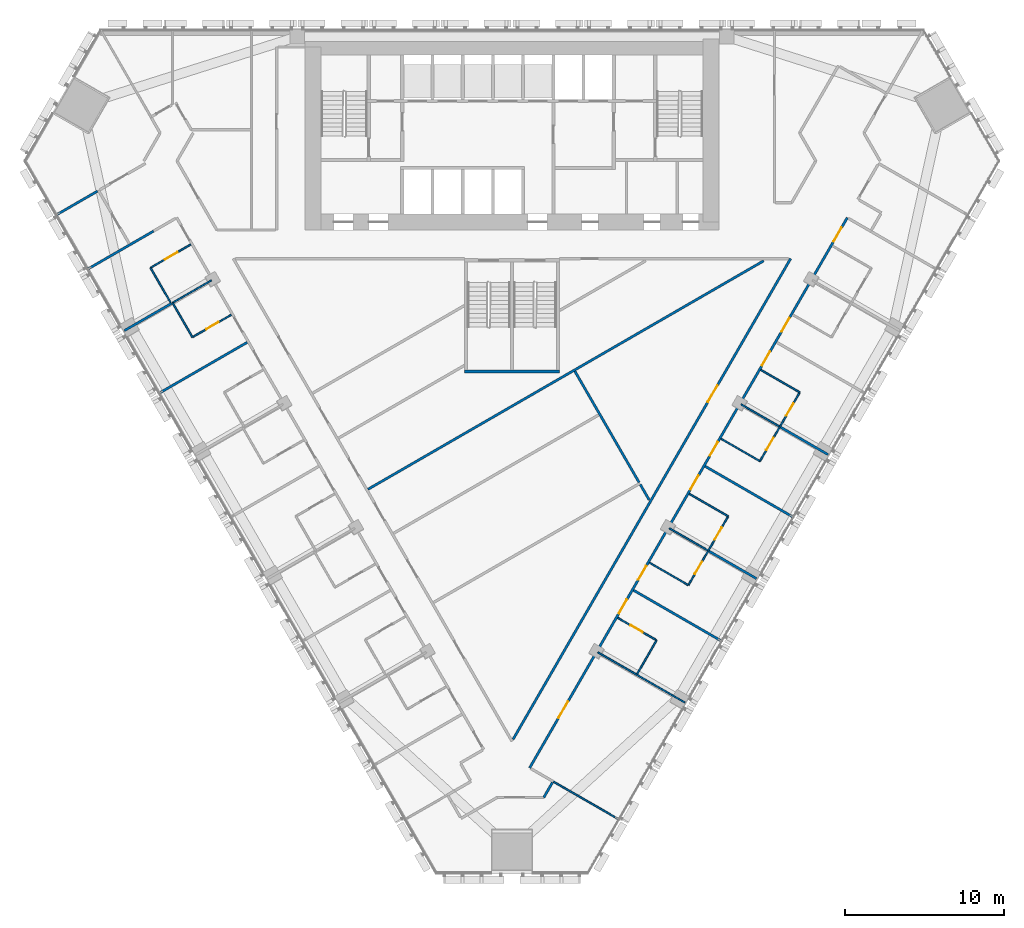
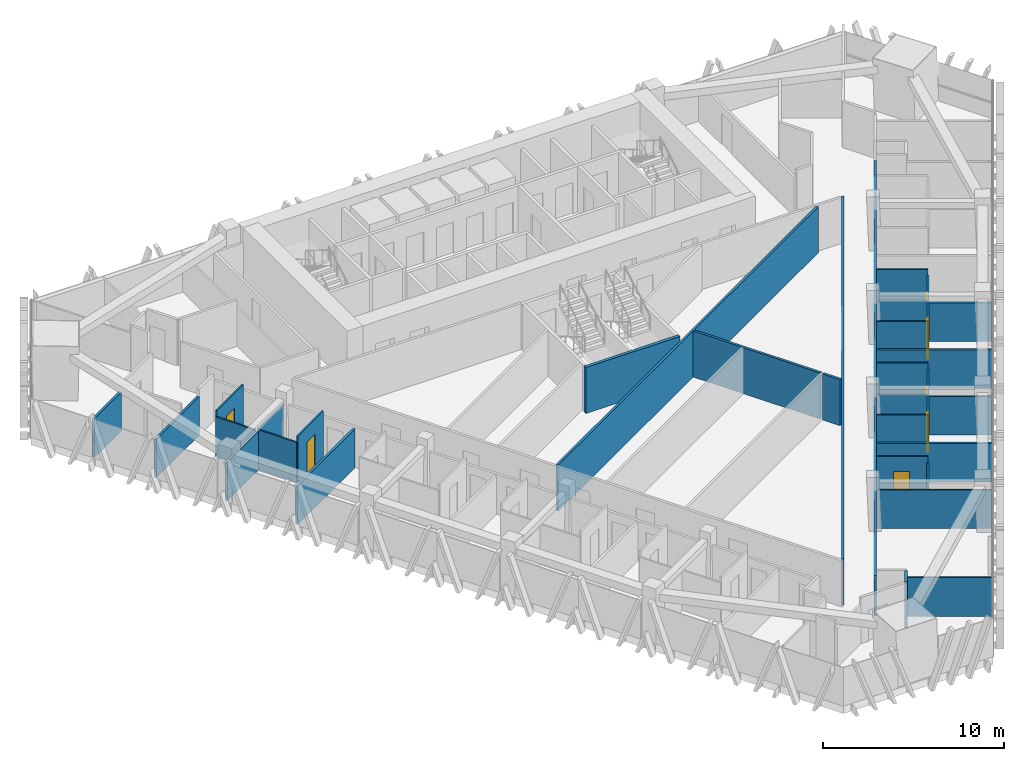
# One storey, part 11 of 18: 32 walls, 16 doors, 16 openings.
"""IFC4 building model written with IfcOpenShell, lengths in metres."""

from ifc_helpers import new_model, si_unit, direction, frame, frame_2d, origin, place, context, subcontext, project, spatial, rectangle, extrude, material, layer, layer_set, type_object, element, fill, save


model = new_model("IFC4")

# Units and contexts
model_context = context("Model", 3, precision=1e-05, world=origin(), true_north=direction((0.0, 1.0)))
body_context = subcontext(model_context, "Body", "Model", "MODEL_VIEW")
ifc_project = project(units=[si_unit("LENGTHUNIT", "METRE"), si_unit("AREAUNIT", "SQUARE_METRE"), si_unit("VOLUMEUNIT", "CUBIC_METRE"), si_unit("PLANEANGLEUNIT", "RADIAN"), si_unit("MASSUNIT", "GRAM", prefix="KILO")], contexts=[model_context])

# Site, building, storey
site_placement = place(None, origin())
site = spatial("IfcSite", under=ifc_project, at=site_placement, CompositionType="ELEMENT")
building_placement = place(site_placement, origin())
building = spatial("IfcBuilding", under=site, at=building_placement, Name="Altiplano Prism Tower", CompositionType="ELEMENT")
storey_placement = place(building_placement, frame((0.0, 0.0, 48.60009765625)))
storey = spatial("IfcBuildingStorey", under=building, at=storey_placement, Name="L11", CompositionType="ELEMENT", Elevation=48.60009765625)

# Wall
ifc_material_1 = material(Name="Plasterboard on steel stud", Category="steel")
ifc_layer_1 = layer(ifc_material_1, 0.10009765625)
ifc_layer_set_1 = layer_set([ifc_layer_1], Name="Plasterboard on steel stud")
wall_type_1 = type_object("IfcWallType", Name="Partition 100 unit", PredefinedType="PARTITIONING", material=ifc_layer_set_1)
wall_1_placement = place(storey_placement, frame((63.537109375, 87.837646484375, 0.0), z_axis=(0.0, 0.0, 1.0), x_axis=(-0.500090717682, 0.865973021571, 0.0)))
element("IfcWall", 1, at=wall_1_placement, inside=storey, type_object=wall_type_1, Name="Partition P02 L11 050", PredefinedType="PARTITIONING", context=body_context, shape_type="SweptSolid", body=[
    extrude(rectangle(XDim=2.52490234375, YDim=0.10009765625, at=frame_2d((1.262451171875, 0.0))), origin(), (0.0, 0.0, 1.0), 2.699951171875),
])

# Wall, opening, door
wall_2_placement = place(storey_placement, frame((62.2744140625, 90.024169921875, 0.0), z_axis=(0.0, 0.0, 1.0), x_axis=(0.86601045545, 0.500025890382, 0.0)))
wall_2 = element("IfcWall", 2, at=wall_2_placement, inside=storey, type_object=wall_type_1, Name="Partition P02 L11 051", PredefinedType="PARTITIONING", context=body_context, shape_type="SweptSolid", body=[
    extrude(rectangle(XDim=2.925048828125, YDim=0.10009765625, at=frame_2d((1.46240234375, 0.0))), origin(), (0.0, 0.0, 1.0), 3.099853515625),
])
opening_1_placement = place(wall_2_placement, frame((1.050048828125, 0.0, 0.0)))
opening_1 = element("IfcOpeningElement", 3, at=opening_1_placement, cuts=wall_2, Name="Opening D0429", PredefinedType="OPENING", context=body_context, shape_type="SweptSolid", body=[
    extrude(rectangle(XDim=0.89990234375, YDim=2.10009765625, at=frame_2d((0.449951171875, 1.050048828125))), frame((0.0, 0.060546875, 0.0), z_axis=(0.0, -1.0, 0.0), x_axis=(1.0, 0.0, 0.0)), (0.0, 0.0, 1.0), 0.12109375),
])
ifc_material_2 = material(Name="Timber", Category="wood")
door_type_1 = type_object("IfcDoorType", Name="Ensuite door 900 x 2100", OperationType="NOTDEFINED", PredefinedType="NOTDEFINED", material=ifc_material_2)
door_1_placement = place(opening_1_placement, origin())
door_1 = element("IfcDoor", 4, at=door_1_placement, inside=storey, type_object=door_type_1, Name="Door D0429", OperationType="SINGLE_SWING_LEFT", OverallHeight=2.10009765625, OverallWidth=0.89990234375, PredefinedType="NOTDEFINED", context=body_context, shape_type="SweptSolid", body=[
    extrude(rectangle(XDim=0.89990234375, YDim=2.10009765625, at=frame_2d((0.449951171875, 1.050048828125))), frame((0.0, 0.02490234375, 0.0), z_axis=(0.0, -1.0, 0.0), x_axis=(1.0, 0.0, 0.0)), (0.0, 0.0, 1.0), 0.050048828125),
])
fill(opening_1, door_1)

wall_3_placement = place(storey_placement, frame((67.357666015625, 87.070068359375, 0.0), z_axis=(0.0, 0.0, 1.0), x_axis=(-0.866011447264, -0.500024172624, 0.0)))
wall_3 = element("IfcWall", 5, at=wall_3_placement, inside=storey, type_object=wall_type_1, Name="Partition P02 L11 054", PredefinedType="PARTITIONING", context=body_context, shape_type="SweptSolid", body=[
    extrude(rectangle(XDim=2.824951171875, YDim=0.10009765625, at=frame_2d((1.41259765625, 0.0))), origin(), (0.0, 0.0, 1.0), 3.099853515625),
])
opening_2_placement = place(wall_3_placement, frame((0.925048828125, 0.0, 0.0)))
opening_2 = element("IfcOpeningElement", 6, at=opening_2_placement, cuts=wall_3, Name="Opening D0431", PredefinedType="OPENING", context=body_context, shape_type="SweptSolid", body=[
    extrude(rectangle(XDim=0.89990234375, YDim=2.10009765625, at=frame_2d((0.449951171875, 1.050048828125))), frame((0.0, 0.060546875, 0.0), z_axis=(0.0, -1.0, 0.0), x_axis=(1.0, 0.0, 0.0)), (0.0, 0.0, 1.0), 0.12109375),
])
door_2_placement = place(opening_2_placement, origin())
door_2 = element("IfcDoor", 7, at=door_2_placement, inside=storey, type_object=door_type_1, Name="Door D0431", OperationType="SINGLE_SWING_LEFT", OverallHeight=2.10009765625, OverallWidth=0.89990234375, PredefinedType="NOTDEFINED", context=body_context, shape_type="SweptSolid", body=[
    extrude(rectangle(XDim=0.89990234375, YDim=2.10009765625, at=frame_2d((0.449951171875, 1.050048828125))), frame((0.0, 0.02490234375, 0.0), z_axis=(0.0, -1.0, 0.0), x_axis=(1.0, 0.0, 0.0)), (0.0, 0.0, 1.0), 0.050048828125),
])
fill(opening_2, door_2)

# Wall
wall_4_placement = place(storey_placement, frame((64.9111328125, 85.657470703125, 0.0), z_axis=(0.0, 0.0, 1.0), x_axis=(-0.500004234368, 0.866022959057, 0.0)))
element("IfcWall", 8, at=wall_4_placement, inside=storey, type_object=wall_type_1, Name="Partition P02 L11 055", PredefinedType="PARTITIONING", context=body_context, shape_type="SweptSolid", body=[
    extrude(rectangle(XDim=2.5, YDim=0.10009765625, at=frame_2d((1.25, 0.0))), origin(), (0.0, 0.0, 1.0), 2.699951171875),
])

# Wall, opening, door
wall_5_placement = place(storey_placement, frame((91.642333984375, 68.017578125, 0.0), z_axis=(0.0, 0.0, 1.0), x_axis=(0.866011447264, -0.500024172624, 0.0)))
wall_5 = element("IfcWall", 9, at=wall_5_placement, inside=storey, type_object=wall_type_1, Name="Partition P02 L11 082", PredefinedType="PARTITIONING", context=body_context, shape_type="SweptSolid", body=[
    extrude(rectangle(XDim=2.824951171875, YDim=0.10009765625, at=frame_2d((1.41259765625, 0.0))), origin(), (0.0, 0.0, 1.0), 3.099853515625),
])
opening_3_placement = place(wall_5_placement, frame((0.925048828125, 0.0, 0.0)))
opening_3 = element("IfcOpeningElement", 10, at=opening_3_placement, cuts=wall_5, Name="Opening D0448", PredefinedType="OPENING", context=body_context, shape_type="SweptSolid", body=[
    extrude(rectangle(XDim=0.89990234375, YDim=2.10009765625, at=frame_2d((0.449951171875, 1.050048828125))), frame((0.0, 0.060546875, 0.0), z_axis=(0.0, -1.0, 0.0), x_axis=(1.0, 0.0, 0.0)), (0.0, 0.0, 1.0), 0.12109375),
])
door_3_placement = place(opening_3_placement, origin())
door_3 = element("IfcDoor", 11, at=door_3_placement, inside=storey, type_object=door_type_1, Name="Door D0448", OperationType="SINGLE_SWING_LEFT", OverallHeight=2.10009765625, OverallWidth=0.89990234375, PredefinedType="NOTDEFINED", context=body_context, shape_type="SweptSolid", body=[
    extrude(rectangle(XDim=0.89990234375, YDim=2.10009765625, at=frame_2d((0.449951171875, 1.050048828125))), frame((0.0, 0.02490234375, 0.0), z_axis=(0.0, -1.0, 0.0), x_axis=(1.0, 0.0, 0.0)), (0.0, 0.0, 1.0), 0.050048828125),
])
fill(opening_3, door_3)

# Walls
wall_6_placement = place(storey_placement, frame((94.0888671875, 66.60498046875, 0.0), z_axis=(0.0, 0.0, 1.0), x_axis=(-0.499943856944, -0.866057815567, 0.0)))
element("IfcWall", 12, at=wall_6_placement, inside=storey, type_object=wall_type_1, Name="Partition P02 L11 083", PredefinedType="PARTITIONING", context=body_context, shape_type="SweptSolid", body=[
    extrude(rectangle(XDim=2.449951171875, YDim=0.10009765625, at=frame_2d((1.22509765625, 0.0))), origin(), (0.0, 0.0, 1.0), 2.699951171875),
])
for number, where, z_axis, x_axis, name in (
    (13, (96.0888671875, 70.069091796875, 0.0), (0.0, 0.0, 1.0), (-0.866011447264, 0.500024172624, 0.0), "Partition P02 L11 085"),
    (14, (96.142333984375, 75.811767578125, 0.0), (0.0, 0.0, 1.0), (0.866011447264, -0.500024172624, 0.0), "Partition P02 L11 088"),
):
    element("IfcWall", number, at=place(storey_placement, frame(where, z_axis=z_axis, x_axis=x_axis)), inside=storey, type_object=wall_type_1, Name=name, PredefinedType="PARTITIONING", context=body_context, shape_type="SweptSolid", body=[
        extrude(rectangle(XDim=2.824951171875, YDim=0.10009765625, at=frame_2d((1.41259765625, 0.0))), origin(), (0.0, 0.0, 1.0), 3.099853515625),
    ])

# Wall, openings, doors
wall_7_placement = place(storey_placement, frame((98.5888671875, 74.399169921875, 0.0), z_axis=(0.0, 0.0, 1.0), x_axis=(-0.500004234368, -0.866022959057, 0.0)))
wall_7 = element("IfcWall", 15, at=wall_7_placement, inside=storey, type_object=wall_type_1, Name="Partition P02 L11 089", PredefinedType="PARTITIONING", context=body_context, shape_type="SweptSolid", body=[
    extrude(rectangle(XDim=5.0, YDim=0.10009765625, at=frame_2d((2.5, 0.0))), origin(), (0.0, 0.0, 1.0), 2.699951171875),
])
opening_4_placement = place(wall_7_placement, frame((3.300048828125, 0.0, 0.0)))
opening_4 = element("IfcOpeningElement", 16, at=opening_4_placement, cuts=wall_7, Name="Opening D0450", PredefinedType="OPENING", context=body_context, shape_type="SweptSolid", body=[
    extrude(rectangle(XDim=0.89990234375, YDim=2.10009765625, at=frame_2d((0.449951171875, 1.050048828125))), frame((0.0, 0.060546875, 0.0), z_axis=(0.0, -1.0, 0.0), x_axis=(1.0, 0.0, 0.0)), (0.0, 0.0, 1.0), 0.12109375),
])
opening_5_placement = place(wall_7_placement, frame((0.800048828125, 0.0, 0.0)))
opening_5 = element("IfcOpeningElement", 17, at=opening_5_placement, cuts=wall_7, Name="Opening D0452", PredefinedType="OPENING", context=body_context, shape_type="SweptSolid", body=[
    extrude(rectangle(XDim=0.89990234375, YDim=2.10009765625, at=frame_2d((0.449951171875, 1.050048828125))), frame((0.0, 0.060546875, 0.0), z_axis=(0.0, -1.0, 0.0), x_axis=(1.0, 0.0, 0.0)), (0.0, 0.0, 1.0), 0.12109375),
])
door_4_placement = place(opening_4_placement, origin())
door_4 = element("IfcDoor", 18, at=door_4_placement, inside=storey, type_object=door_type_1, Name="Door D0450", OperationType="SINGLE_SWING_RIGHT", OverallHeight=2.10009765625, OverallWidth=0.89990234375, PredefinedType="NOTDEFINED", context=body_context, shape_type="SweptSolid", body=[
    extrude(rectangle(XDim=0.89990234375, YDim=2.10009765625, at=frame_2d((0.449951171875, 1.050048828125))), frame((0.0, 0.02490234375, 0.0), z_axis=(0.0, -1.0, 0.0), x_axis=(1.0, 0.0, 0.0)), (0.0, 0.0, 1.0), 0.050048828125),
])
fill(opening_4, door_4)
door_5_placement = place(opening_5_placement, origin())
door_5 = element("IfcDoor", 19, at=door_5_placement, inside=storey, type_object=door_type_1, Name="Door D0452", OperationType="SINGLE_SWING_LEFT", OverallHeight=2.10009765625, OverallWidth=0.89990234375, PredefinedType="NOTDEFINED", context=body_context, shape_type="SweptSolid", body=[
    extrude(rectangle(XDim=0.89990234375, YDim=2.10009765625, at=frame_2d((0.449951171875, 1.050048828125))), frame((0.0, 0.02490234375, 0.0), z_axis=(0.0, -1.0, 0.0), x_axis=(1.0, 0.0, 0.0)), (0.0, 0.0, 1.0), 0.050048828125),
])
fill(opening_5, door_5)

# Walls
for number, where, z_axis, x_axis, name in (
    (20, (100.5888671875, 77.86328125, 0.0), (0.0, 0.0, 1.0), (-0.866011447264, 0.500024172624, 0.0), "Partition P02 L11 091"),
    (21, (100.642333984375, 83.60595703125, 0.0), (0.0, 0.0, 1.0), (0.866011447264, -0.500024172624, 0.0), "Partition P02 L11 094"),
):
    element("IfcWall", number, at=place(storey_placement, frame(where, z_axis=z_axis, x_axis=x_axis)), inside=storey, type_object=wall_type_1, Name=name, PredefinedType="PARTITIONING", context=body_context, shape_type="SweptSolid", body=[
        extrude(rectangle(XDim=2.824951171875, YDim=0.10009765625, at=frame_2d((1.41259765625, 0.0))), origin(), (0.0, 0.0, 1.0), 3.099853515625),
    ])

# Wall, openings, doors
wall_8_placement = place(storey_placement, frame((103.0888671875, 82.193359375, 0.0), z_axis=(0.0, 0.0, 1.0), x_axis=(-0.500004234368, -0.866022959057, 0.0)))
wall_8 = element("IfcWall", 22, at=wall_8_placement, inside=storey, type_object=wall_type_1, Name="Partition P02 L11 095", PredefinedType="PARTITIONING", context=body_context, shape_type="SweptSolid", body=[
    extrude(rectangle(XDim=5.0, YDim=0.10009765625, at=frame_2d((2.5, 0.0))), origin(), (0.0, 0.0, 1.0), 2.699951171875),
])
opening_6_placement = place(wall_8_placement, frame((3.300048828125, 0.0, 0.0)))
opening_6 = element("IfcOpeningElement", 23, at=opening_6_placement, cuts=wall_8, Name="Opening D0454", PredefinedType="OPENING", context=body_context, shape_type="SweptSolid", body=[
    extrude(rectangle(XDim=0.89990234375, YDim=2.10009765625, at=frame_2d((0.449951171875, 1.050048828125))), frame((0.0, 0.060546875, 0.0), z_axis=(0.0, -1.0, 0.0), x_axis=(1.0, 0.0, 0.0)), (0.0, 0.0, 1.0), 0.12109375),
])
opening_7_placement = place(wall_8_placement, frame((0.800048828125, 0.0, 0.0)))
opening_7 = element("IfcOpeningElement", 24, at=opening_7_placement, cuts=wall_8, Name="Opening D0456", PredefinedType="OPENING", context=body_context, shape_type="SweptSolid", body=[
    extrude(rectangle(XDim=0.89990234375, YDim=2.10009765625, at=frame_2d((0.449951171875, 1.050048828125))), frame((0.0, 0.060546875, 0.0), z_axis=(0.0, -1.0, 0.0), x_axis=(1.0, 0.0, 0.0)), (0.0, 0.0, 1.0), 0.12109375),
])
door_6_placement = place(opening_6_placement, origin())
door_6 = element("IfcDoor", 25, at=door_6_placement, inside=storey, type_object=door_type_1, Name="Door D0454", OperationType="SINGLE_SWING_RIGHT", OverallHeight=2.10009765625, OverallWidth=0.89990234375, PredefinedType="NOTDEFINED", context=body_context, shape_type="SweptSolid", body=[
    extrude(rectangle(XDim=0.89990234375, YDim=2.10009765625, at=frame_2d((0.449951171875, 1.050048828125))), frame((0.0, 0.02490234375, 0.0), z_axis=(0.0, -1.0, 0.0), x_axis=(1.0, 0.0, 0.0)), (0.0, 0.0, 1.0), 0.050048828125),
])
fill(opening_6, door_6)
door_7_placement = place(opening_7_placement, origin())
door_7 = element("IfcDoor", 26, at=door_7_placement, inside=storey, type_object=door_type_1, Name="Door D0456", OperationType="SINGLE_SWING_LEFT", OverallHeight=2.10009765625, OverallWidth=0.89990234375, PredefinedType="NOTDEFINED", context=body_context, shape_type="SweptSolid", body=[
    extrude(rectangle(XDim=0.89990234375, YDim=2.10009765625, at=frame_2d((0.449951171875, 1.050048828125))), frame((0.0, 0.02490234375, 0.0), z_axis=(0.0, -1.0, 0.0), x_axis=(1.0, 0.0, 0.0)), (0.0, 0.0, 1.0), 0.050048828125),
])
fill(opening_7, door_7)

# Walls
ifc_layer_2 = layer(ifc_material_1, 0.10009765625)
ifc_layer_set_2 = layer_set([ifc_layer_2], Name="Plasterboard on steel stud")
wall_type_2 = type_object("IfcWallType", Name="Partition 100 wet", PredefinedType="PARTITIONING", material=ifc_layer_set_2)
wall_9_placement = place(storey_placement, frame((63.6611328125, 87.822509765625, 0.0), z_axis=(0.0, 0.0, 1.0), x_axis=(0.866011447264, 0.500024172624, 0.0)))
element("IfcWall", 27, at=wall_9_placement, inside=storey, type_object=wall_type_2, Name="Partition P03 L11 053", PredefinedType="PARTITIONING", context=body_context, shape_type="SweptSolid", body=[
    extrude(rectangle(XDim=2.824951171875, YDim=0.10009765625, at=frame_2d((1.41259765625, 0.0))), origin(), (0.0, 0.0, 1.0), 2.699951171875),
])
wall_10_placement = place(storey_placement, frame((91.668701171875, 55.372802734375, 0.0), z_axis=(0.0, 0.0, 1.0), x_axis=(-0.866015756104, 0.5000167099, 0.0)))
element("IfcWall", 28, at=wall_10_placement, inside=storey, type_object=wall_type_2, Name="Partition P03 L11 080", PredefinedType="PARTITIONING", context=body_context, shape_type="SweptSolid", body=[
    extrude(rectangle(XDim=4.739990234375, YDim=0.10009765625, at=frame_2d((2.3701171875, 0.0))), origin(), (0.0, 0.0, 1.0), 2.599853515625),
])
wall_11_placement = place(storey_placement, frame((95.869873046875, 62.68994140625, 0.0), z_axis=(0.0, 0.0, 1.0), x_axis=(-0.866032601554, 0.49998753289, 0.0)))
element("IfcWall", 29, at=wall_11_placement, inside=storey, type_object=wall_type_2, Name="Partition P03 L11 081", PredefinedType="PARTITIONING", context=body_context, shape_type="SweptSolid", body=[
    extrude(rectangle(XDim=6.324951171875, YDim=0.10009765625, at=frame_2d((3.16259765625, 0.0))), origin(), (0.0, 0.0, 1.0), 2.599853515625),
])
for number, where, z_axis, x_axis, name in (
    (30, (97.295654296875, 72.25927734375, 0.0), (0.0, 0.0, 1.0), (-0.866042014628, 0.499971228071, 0.0), "Partition P03 L11 087"),
    (31, (101.795654296875, 80.053466796875, 0.0), (0.0, 0.0, 1.0), (-0.866042014628, 0.499971228071, 0.0), "Partition P03 L11 093"),
):
    element("IfcWall", number, at=place(storey_placement, frame(where, z_axis=z_axis, x_axis=x_axis)), inside=storey, type_object=wall_type_2, Name=name, PredefinedType="PARTITIONING", context=body_context, shape_type="SweptSolid", body=[
        extrude(rectangle(XDim=2.775146484375, YDim=0.10009765625, at=frame_2d((1.3876953125, 0.0))), origin(), (0.0, 0.0, 1.0), 2.699951171875),
    ])
ifc_layer_3 = layer(ifc_material_1, 0.14990234375)
ifc_layer_set_3 = layer_set([ifc_layer_3], Name="Plasterboard on steel stud")
wall_type_3 = type_object("IfcWallType", Name="Partition 150 corridor", PredefinedType="PARTITIONING", material=ifc_layer_set_3)
wall_12_placement = place(storey_placement, frame((86.997802734375, 56.722900390625, 0.0), z_axis=(0.0, 0.0, 1.0), x_axis=(0.500012937857, 0.86601793398, 0.0)))
element("IfcWall", 32, at=wall_12_placement, inside=storey, type_object=wall_type_3, Name="Partition P06 L11 024", PredefinedType="PARTITIONING", context=body_context, shape_type="SweptSolid", body=[
    extrude(rectangle(XDim=1.09130859375, YDim=0.14990234375, at=frame_2d((0.545654296875, 0.0))), origin(), (0.0, 0.0, 1.0), 3.099853515625),
])

# Wall, openings, doors
wall_13_placement = place(storey_placement, frame((86.108642578125, 58.582763671875, 0.0), z_axis=(0.0, 0.0, 1.0), x_axis=(0.499999734377, 0.866025557142, 0.0)))
wall_13 = element("IfcWall", 33, at=wall_13_placement, inside=storey, type_object=wall_type_3, Name="Partition P06 L11 026", PredefinedType="PARTITIONING", context=body_context, shape_type="SweptSolid", body=[
    extrude(rectangle(XDim=39.9375, YDim=0.14990234375, at=frame_2d((19.96875, 0.0))), origin(), (0.0, 0.0, 1.0), 2.699951171875),
])
opening_8_placement = place(wall_13_placement, frame((3.618896484375, 0.0, 0.0)))
opening_8 = element("IfcOpeningElement", 34, at=opening_8_placement, cuts=wall_13, Name="Opening D0446", PredefinedType="OPENING", context=body_context, shape_type="SweptSolid", body=[
    extrude(rectangle(XDim=1.199951171875, YDim=2.10009765625, at=frame_2d((0.60009765625, 1.050048828125))), frame((0.0, 0.08544921875, 0.0), z_axis=(0.0, -1.0, 0.0), x_axis=(1.0, 0.0, 0.0)), (0.0, 0.0, 1.0), 0.1708984375),
])
opening_9_placement = place(wall_13_placement, frame((11.217041015625, 0.0, 0.0)))
opening_9 = element("IfcOpeningElement", 35, at=opening_9_placement, cuts=wall_13, Name="Opening D0447", PredefinedType="OPENING", context=body_context, shape_type="SweptSolid", body=[
    extrude(rectangle(XDim=1.0, YDim=2.10009765625, at=frame_2d((0.5, 1.050048828125))), frame((0.0, 0.08544921875, 0.0), z_axis=(0.0, -1.0, 0.0), x_axis=(1.0, 0.0, 0.0)), (0.0, 0.0, 1.0), 0.1708984375),
])
opening_10_placement = place(wall_13_placement, frame((13.657958984375, 0.0, 0.0)))
opening_10 = element("IfcOpeningElement", 36, at=opening_10_placement, cuts=wall_13, Name="Opening D0449", PredefinedType="OPENING", context=body_context, shape_type="SweptSolid", body=[
    extrude(rectangle(XDim=1.0, YDim=2.10009765625, at=frame_2d((0.5, 1.050048828125))), frame((0.0, 0.08544921875, 0.0), z_axis=(0.0, -1.0, 0.0), x_axis=(1.0, 0.0, 0.0)), (0.0, 0.0, 1.0), 0.1708984375),
])
opening_11_placement = place(wall_13_placement, frame((20.217041015625, 0.0, 0.0)))
opening_11 = element("IfcOpeningElement", 37, at=opening_11_placement, cuts=wall_13, Name="Opening D0451", PredefinedType="OPENING", context=body_context, shape_type="SweptSolid", body=[
    extrude(rectangle(XDim=1.0, YDim=2.10009765625, at=frame_2d((0.5, 1.050048828125))), frame((0.0, 0.08544921875, 0.0), z_axis=(0.0, -1.0, 0.0), x_axis=(1.0, 0.0, 0.0)), (0.0, 0.0, 1.0), 0.1708984375),
])
opening_12_placement = place(wall_13_placement, frame((22.657958984375, 0.0, 0.0)))
opening_12 = element("IfcOpeningElement", 38, at=opening_12_placement, cuts=wall_13, Name="Opening D0453", PredefinedType="OPENING", context=body_context, shape_type="SweptSolid", body=[
    extrude(rectangle(XDim=1.0, YDim=2.10009765625, at=frame_2d((0.5, 1.050048828125))), frame((0.0, 0.08544921875, 0.0), z_axis=(0.0, -1.0, 0.0), x_axis=(1.0, 0.0, 0.0)), (0.0, 0.0, 1.0), 0.1708984375),
])
opening_13_placement = place(wall_13_placement, frame((29.217041015625, 0.0, 0.0)))
opening_13 = element("IfcOpeningElement", 39, at=opening_13_placement, cuts=wall_13, Name="Opening D0455", PredefinedType="OPENING", context=body_context, shape_type="SweptSolid", body=[
    extrude(rectangle(XDim=1.0, YDim=2.10009765625, at=frame_2d((0.5, 1.050048828125))), frame((0.0, 0.08544921875, 0.0), z_axis=(0.0, -1.0, 0.0), x_axis=(1.0, 0.0, 0.0)), (0.0, 0.0, 1.0), 0.1708984375),
])
opening_14_placement = place(wall_13_placement, frame((31.657958984375, 0.0, 0.0)))
opening_14 = element("IfcOpeningElement", 40, at=opening_14_placement, cuts=wall_13, Name="Opening D0457", PredefinedType="OPENING", context=body_context, shape_type="SweptSolid", body=[
    extrude(rectangle(XDim=1.0, YDim=2.10009765625, at=frame_2d((0.5, 1.050048828125))), frame((0.0, 0.08544921875, 0.0), z_axis=(0.0, -1.0, 0.0), x_axis=(1.0, 0.0, 0.0)), (0.0, 0.0, 1.0), 0.1708984375),
])
opening_15_placement = place(wall_13_placement, frame((38.217041015625, 0.0, 0.0)))
opening_15 = element("IfcOpeningElement", 41, at=opening_15_placement, cuts=wall_13, Name="Opening D0459", PredefinedType="OPENING", context=body_context, shape_type="SweptSolid", body=[
    extrude(rectangle(XDim=1.0, YDim=2.10009765625, at=frame_2d((0.5, 1.050048828125))), frame((0.0, 0.08544921875, 0.0), z_axis=(0.0, -1.0, 0.0), x_axis=(1.0, 0.0, 0.0)), (0.0, 0.0, 1.0), 0.1708984375),
])
door_type_2 = type_object("IfcDoorType", Name="Bedroom entrance door 1000 x 2100", OperationType="NOTDEFINED", PredefinedType="NOTDEFINED", material=ifc_material_2)
door_8_placement = place(opening_9_placement, origin())
door_8 = element("IfcDoor", 42, at=door_8_placement, inside=storey, type_object=door_type_2, Name="Door D0447", OperationType="SINGLE_SWING_LEFT", OverallHeight=2.10009765625, OverallWidth=1.0, PredefinedType="NOTDEFINED", context=body_context, shape_type="SweptSolid", body=[
    extrude(rectangle(XDim=1.0, YDim=2.10009765625, at=frame_2d((0.5, 1.050048828125))), frame((0.0, 0.02490234375, 0.0), z_axis=(0.0, -1.0, 0.0), x_axis=(1.0, 0.0, 0.0)), (0.0, 0.0, 1.0), 0.050048828125),
])
fill(opening_9, door_8)
door_9_placement = place(opening_10_placement, origin())
door_9 = element("IfcDoor", 43, at=door_9_placement, inside=storey, type_object=door_type_2, Name="Door D0449", OperationType="SINGLE_SWING_LEFT", OverallHeight=2.10009765625, OverallWidth=1.0, PredefinedType="NOTDEFINED", context=body_context, shape_type="SweptSolid", body=[
    extrude(rectangle(XDim=1.0, YDim=2.10009765625, at=frame_2d((0.5, 1.050048828125))), frame((0.0, 0.02490234375, 0.0), z_axis=(0.0, -1.0, 0.0), x_axis=(1.0, 0.0, 0.0)), (0.0, 0.0, 1.0), 0.050048828125),
])
fill(opening_10, door_9)
door_10_placement = place(opening_11_placement, origin())
door_10 = element("IfcDoor", 44, at=door_10_placement, inside=storey, type_object=door_type_2, Name="Door D0451", OperationType="SINGLE_SWING_LEFT", OverallHeight=2.10009765625, OverallWidth=1.0, PredefinedType="NOTDEFINED", context=body_context, shape_type="SweptSolid", body=[
    extrude(rectangle(XDim=1.0, YDim=2.10009765625, at=frame_2d((0.5, 1.050048828125))), frame((0.0, 0.02490234375, 0.0), z_axis=(0.0, -1.0, 0.0), x_axis=(1.0, 0.0, 0.0)), (0.0, 0.0, 1.0), 0.050048828125),
])
fill(opening_11, door_10)
door_11_placement = place(opening_12_placement, origin())
door_11 = element("IfcDoor", 45, at=door_11_placement, inside=storey, type_object=door_type_2, Name="Door D0453", OperationType="SINGLE_SWING_RIGHT", OverallHeight=2.10009765625, OverallWidth=1.0, PredefinedType="NOTDEFINED", context=body_context, shape_type="SweptSolid", body=[
    extrude(rectangle(XDim=1.0, YDim=2.10009765625, at=frame_2d((0.5, 1.050048828125))), frame((0.0, 0.02490234375, 0.0), z_axis=(0.0, -1.0, 0.0), x_axis=(1.0, 0.0, 0.0)), (0.0, 0.0, 1.0), 0.050048828125),
])
fill(opening_12, door_11)
door_12_placement = place(opening_13_placement, origin())
door_12 = element("IfcDoor", 46, at=door_12_placement, inside=storey, type_object=door_type_2, Name="Door D0455", OperationType="SINGLE_SWING_LEFT", OverallHeight=2.10009765625, OverallWidth=1.0, PredefinedType="NOTDEFINED", context=body_context, shape_type="SweptSolid", body=[
    extrude(rectangle(XDim=1.0, YDim=2.10009765625, at=frame_2d((0.5, 1.050048828125))), frame((0.0, 0.02490234375, 0.0), z_axis=(0.0, -1.0, 0.0), x_axis=(1.0, 0.0, 0.0)), (0.0, 0.0, 1.0), 0.050048828125),
])
fill(opening_13, door_12)
door_13_placement = place(opening_14_placement, origin())
door_13 = element("IfcDoor", 47, at=door_13_placement, inside=storey, type_object=door_type_2, Name="Door D0457", OperationType="SINGLE_SWING_LEFT", OverallHeight=2.10009765625, OverallWidth=1.0, PredefinedType="NOTDEFINED", context=body_context, shape_type="SweptSolid", body=[
    extrude(rectangle(XDim=1.0, YDim=2.10009765625, at=frame_2d((0.5, 1.050048828125))), frame((0.0, 0.02490234375, 0.0), z_axis=(0.0, -1.0, 0.0), x_axis=(1.0, 0.0, 0.0)), (0.0, 0.0, 1.0), 0.050048828125),
])
fill(opening_14, door_13)
door_14_placement = place(opening_15_placement, origin())
door_14 = element("IfcDoor", 48, at=door_14_placement, inside=storey, type_object=door_type_2, Name="Door D0459", OperationType="SINGLE_SWING_RIGHT", OverallHeight=2.10009765625, OverallWidth=1.0, PredefinedType="NOTDEFINED", context=body_context, shape_type="SweptSolid", body=[
    extrude(rectangle(XDim=1.0, YDim=2.10009765625, at=frame_2d((0.5, 1.050048828125))), frame((0.0, 0.02490234375, 0.0), z_axis=(0.0, -1.0, 0.0), x_axis=(1.0, 0.0, 0.0)), (0.0, 0.0, 1.0), 0.050048828125),
])
fill(opening_15, door_14)
door_type_3 = type_object("IfcDoorType", Name="Shared room door 1200 x 2100", OperationType="NOTDEFINED", PredefinedType="NOTDEFINED", material=ifc_material_2)
door_15_placement = place(opening_8_placement, origin())
door_15 = element("IfcDoor", 49, at=door_15_placement, inside=storey, type_object=door_type_3, Name="Door D0446", OperationType="SINGLE_SWING_LEFT", OverallHeight=2.10009765625, OverallWidth=1.199951171875, PredefinedType="NOTDEFINED", context=body_context, shape_type="SweptSolid", body=[
    extrude(rectangle(XDim=1.199951171875, YDim=2.10009765625, at=frame_2d((0.60009765625, 1.050048828125))), frame((0.0, 0.02490234375, 0.0), z_axis=(0.0, -1.0, 0.0), x_axis=(1.0, 0.0, 0.0)), (0.0, 0.0, 1.0), 0.050048828125),
])
fill(opening_8, door_15)

# Wall, opening, door
wall_14_placement = place(storey_placement, frame((102.515380859375, 90.60009765625, 0.0), z_axis=(0.0, 0.0, 1.0), x_axis=(-0.499999380783, -0.866025761289, 0.0)))
wall_14 = element("IfcWall", 50, at=wall_14_placement, inside=storey, type_object=wall_type_3, Name="Partition P06 L11 042", PredefinedType="PARTITIONING", context=body_context, shape_type="SweptSolid", body=[
    extrude(rectangle(XDim=34.90087890625, YDim=0.14990234375, at=frame_2d((17.450439453125, 0.0))), origin(), (0.0, 0.0, 1.0), 3.099853515625),
])
opening_16_placement = place(wall_14_placement, frame((9.20703125, 0.0, 0.0)))
opening_16 = element("IfcOpeningElement", 51, at=opening_16_placement, cuts=wall_14, Name="Opening D0466", PredefinedType="OPENING", context=body_context, shape_type="SweptSolid", body=[
    extrude(rectangle(XDim=1.199951171875, YDim=2.10009765625, at=frame_2d((0.60009765625, 1.050048828125))), frame((0.0, 0.08544921875, 0.0), z_axis=(0.0, -1.0, 0.0), x_axis=(1.0, 0.0, 0.0)), (0.0, 0.0, 1.0), 0.1708984375),
])
door_16_placement = place(opening_16_placement, origin())
door_16 = element("IfcDoor", 52, at=door_16_placement, inside=storey, type_object=door_type_3, Name="Door D0466", OperationType="SINGLE_SWING_RIGHT", OverallHeight=2.10009765625, OverallWidth=1.199951171875, PredefinedType="NOTDEFINED", context=body_context, shape_type="SweptSolid", body=[
    extrude(rectangle(XDim=1.199951171875, YDim=2.10009765625, at=frame_2d((0.60009765625, 1.050048828125))), frame((0.0, 0.02490234375, 0.0), z_axis=(0.0, -1.0, 0.0), x_axis=(1.0, 0.0, 0.0)), (0.0, 0.0, 1.0), 0.050048828125),
])
fill(opening_16, door_16)

# Walls
wall_15_placement = place(storey_placement, frame((58.362548828125, 89.959716796875, 0.0), z_axis=(0.0, 0.0, 1.0), x_axis=(0.866015756104, 0.5000167099, 0.0)))
element("IfcWall", 53, at=wall_15_placement, inside=storey, type_object=wall_type_3, Name="Partition P06 L11 049", PredefinedType="PARTITIONING", context=body_context, shape_type="SweptSolid", body=[
    extrude(rectangle(XDim=4.739990234375, YDim=0.14990234375, at=frame_2d((2.3701171875, 0.0))), origin(), (0.0, 0.0, 1.0), 2.599853515625),
])
ifc_layer_4 = layer(ifc_material_1, 0.14990234375)
ifc_layer_set_4 = layer_set([ifc_layer_4], Name="Plasterboard on steel stud")
wall_type_4 = type_object("IfcWallType", Name="Partition 150 party", PredefinedType="PARTITIONING", material=ifc_layer_set_4)
wall_16_placement = place(storey_placement, frame((56.393798828125, 93.36962890625, 0.0), z_axis=(0.0, 0.0, 1.0), x_axis=(0.866010265175, 0.500026219923, 0.0)))
element("IfcWall", 54, at=wall_16_placement, inside=storey, type_object=wall_type_4, Name="Partition P01 L11 048", PredefinedType="PARTITIONING", context=body_context, shape_type="SweptSolid", body=[
    extrude(rectangle(XDim=2.945068359375, YDim=0.14990234375, at=frame_2d((1.47265625, 0.0))), origin(), (0.0, 0.0, 1.0), 2.599853515625),
])
wall_17_placement = place(storey_placement, frame((60.630126953125, 86.072509765625, 0.0), z_axis=(0.0, 0.0, 1.0), x_axis=(0.865989424415, 0.500062312919, 0.0)))
element("IfcWall", 55, at=wall_17_placement, inside=storey, type_object=wall_type_4, Name="Partition P01 L11 052", PredefinedType="PARTITIONING", context=body_context, shape_type="SweptSolid", body=[
    extrude(rectangle(XDim=3.419921875, YDim=0.14990234375, at=frame_2d((1.7099609375, 0.0))), origin(), (0.0, 0.0, 1.0), 2.599853515625),
])
for number, where, z_axis, x_axis, name in (
    (56, (62.862548828125, 82.165283203125, 0.0), (0.0, 0.0, 1.0), (0.866025401434, 0.500000004071, 0.0), "Partition P01 L11 056"),
    (57, (98.137451171875, 66.576904296875, 0.0), (0.0, 0.0, 1.0), (-0.866025401434, 0.500000004071, 0.0), "Partition P01 L11 084"),
):
    element("IfcWall", number, at=place(storey_placement, frame(where, z_axis=z_axis, x_axis=x_axis)), inside=storey, type_object=wall_type_4, Name=name, PredefinedType="PARTITIONING", context=body_context, shape_type="SweptSolid", body=[
        extrude(rectangle(XDim=6.34521484375, YDim=0.14990234375, at=frame_2d((3.172607421875, 0.0))), origin(), (0.0, 0.0, 1.0), 2.599853515625),
    ])
wall_18_placement = place(storey_placement, frame((100.369873046875, 70.484130859375, 0.0), z_axis=(0.0, 0.0, 1.0), x_axis=(-0.86599583856, 0.500051204974, 0.0)))
element("IfcWall", 58, at=wall_18_placement, inside=storey, type_object=wall_type_4, Name="Partition P01 L11 086", PredefinedType="PARTITIONING", context=body_context, shape_type="SweptSolid", body=[
    extrude(rectangle(XDim=3.449951171875, YDim=0.14990234375, at=frame_2d((1.72509765625, 0.0))), origin(), (0.0, 0.0, 1.0), 2.599853515625),
])
wall_19_placement = place(storey_placement, frame((102.637451171875, 74.37109375, 0.0), z_axis=(0.0, 0.0, 1.0), x_axis=(-0.866025401434, 0.500000004071, 0.0)))
element("IfcWall", 59, at=wall_19_placement, inside=storey, type_object=wall_type_4, Name="Partition P01 L11 090", PredefinedType="PARTITIONING", context=body_context, shape_type="SweptSolid", body=[
    extrude(rectangle(XDim=6.34521484375, YDim=0.14990234375, at=frame_2d((3.172607421875, 0.0))), origin(), (0.0, 0.0, 1.0), 2.599853515625),
])
wall_20_placement = place(storey_placement, frame((104.869873046875, 78.2783203125, 0.0), z_axis=(0.0, 0.0, 1.0), x_axis=(-0.86599583856, 0.500051204974, 0.0)))
element("IfcWall", 60, at=wall_20_placement, inside=storey, type_object=wall_type_4, Name="Partition P01 L11 092", PredefinedType="PARTITIONING", context=body_context, shape_type="SweptSolid", body=[
    extrude(rectangle(XDim=3.449951171875, YDim=0.14990234375, at=frame_2d((1.72509765625, 0.0))), origin(), (0.0, 0.0, 1.0), 2.599853515625),
])
wall_21_placement = place(storey_placement, frame((93.62548828125, 75.42724609375, 0.0), z_axis=(0.0, 0.0, 1.0), x_axis=(-0.499954826904, 0.866051482913, 0.0)))
element("IfcWall", 61, at=wall_21_placement, inside=storey, type_object=wall_type_4, Name="Partition P01 L11 106", PredefinedType="PARTITIONING", context=body_context, shape_type="SweptSolid", body=[
    extrude(rectangle(XDim=1.12158203125, YDim=0.14990234375, at=frame_2d((0.560791015625, 0.0))), origin(), (0.0, 0.0, 1.0), 3.099853515625),
])
wall_22_placement = place(storey_placement, frame((75.944580078125, 76.096923828125, 0.0), z_axis=(0.0, 0.0, 1.0), x_axis=(0.866026931326, 0.499997354212, 0.0)))
element("IfcWall", 62, at=wall_22_placement, inside=storey, type_object=wall_type_4, Name="Partition P01 L11 108", PredefinedType="PARTITIONING", context=body_context, shape_type="SweptSolid", body=[
    extrude(rectangle(XDim=28.726318359375, YDim=0.14990234375, at=frame_2d((14.36328125, 0.0))), origin(), (0.0, 0.0, 1.0), 3.099853515625),
])
wall_23_placement = place(storey_placement, frame((88.952880859375, 83.5205078125, 0.0), z_axis=(0.0, 0.0, 1.0), x_axis=(0.499983344799, -0.866035019456, 0.0)))
element("IfcWall", 63, at=wall_23_placement, inside=storey, type_object=wall_type_4, Name="Partition P01 L11 111", PredefinedType="PARTITIONING", context=body_context, shape_type="SweptSolid", body=[
    extrude(rectangle(XDim=8.073486328125, YDim=0.14990234375, at=frame_2d((4.03662109375, 0.0))), origin(), (0.0, 0.0, 1.0), 3.099853515625),
])
ifc_material_3 = material(Name="Concrete C60/75", Category="concrete")
ifc_layer_5 = layer(ifc_material_3, 0.199951171875)
ifc_layer_set_5 = layer_set([ifc_layer_5], Name="Concrete C60/75")
wall_type_5 = type_object("IfcWallType", Name="Stair wall 200", PredefinedType="SOLIDWALL", material=ifc_layer_set_5)
wall_24_placement = place(storey_placement, frame((82.0, 83.5, 0.0), z_axis=(0.0, 0.0, 1.0), x_axis=(1.0, 0.0, 0.0)))
element("IfcWall", 64, at=wall_24_placement, inside=storey, type_object=wall_type_5, Name="Stair 3 wall south L11", PredefinedType="SOLIDWALL", context=body_context, shape_type="SweptSolid", body=[
    extrude(rectangle(XDim=6.0, YDim=0.199951171875, at=frame_2d((3.0, 0.0))), origin(), (0.0, 0.0, 1.0), 3.099853515625),
])

save(model, "model.ifc")
